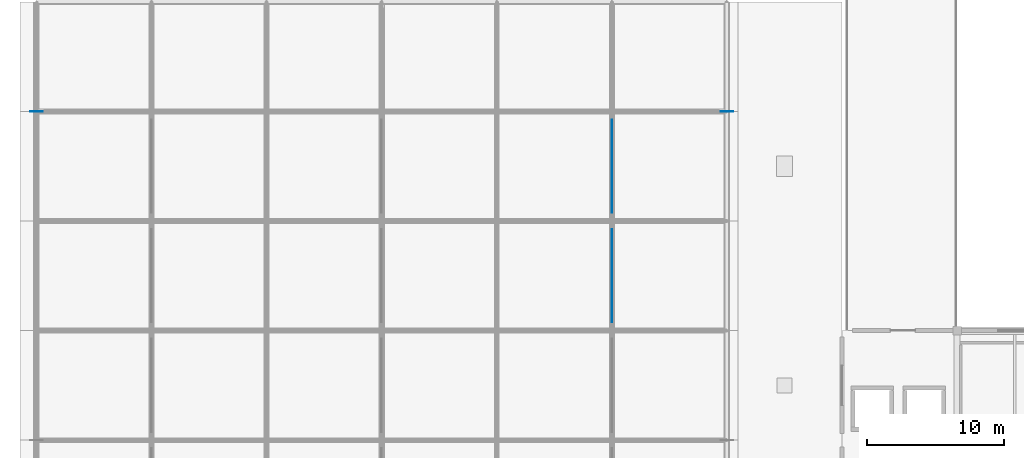
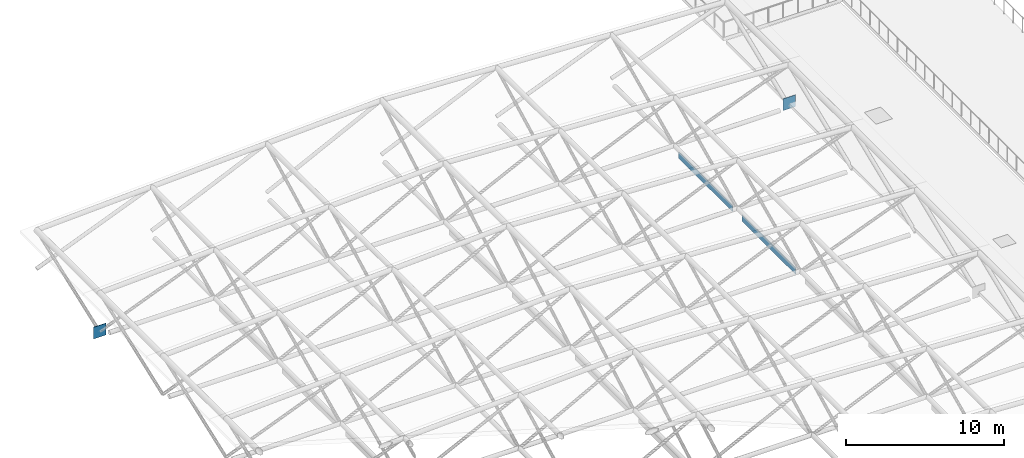
# One storey, part 17 of 37: 4 plates.
"""IFC4 building model written with IfcOpenShell, lengths in metres."""

from ifc_helpers import new_model, si_unit, direction, frame, origin, origin_2d, place, context, subcontext, project, spatial, rectangle, extrude, material, layer, layer_set, type_object, element, save


model = new_model("IFC4")

# Units and contexts
model_context = context("Model", 3, precision=1e-05, world=origin(), true_north=direction((0.0, 1.0)))
body_context = subcontext(model_context, "Body", "Model", "MODEL_VIEW")
ifc_project = project(units=[si_unit("LENGTHUNIT", "METRE"), si_unit("AREAUNIT", "SQUARE_METRE"), si_unit("VOLUMEUNIT", "CUBIC_METRE"), si_unit("PLANEANGLEUNIT", "RADIAN"), si_unit("MASSUNIT", "GRAM", prefix="KILO")], contexts=[model_context])

# Site, building, storey
site_placement = place(None, origin())
site = spatial("IfcSite", under=ifc_project, at=site_placement, CompositionType="ELEMENT")
building_placement = place(site_placement, origin())
building = spatial("IfcBuilding", under=site, at=building_placement, Name="Naruveol Harbour Congress Hotel", CompositionType="ELEMENT")
storey_placement = place(building_placement, frame((0.0, 0.0, 16.199951171875)))
storey = spatial("IfcBuildingStorey", under=building, at=storey_placement, Name="L03", CompositionType="ELEMENT", Elevation=16.199951171875)

# Plates
ifc_material_1 = material(Name="Precast concrete C40/50", Category="concrete")
ifc_layer_1 = layer(ifc_material_1, 0.0400390625)
ifc_layer_set_1 = layer_set([ifc_layer_1], Name="Precast concrete C40/50")
plate_type_1 = type_object("IfcPlateType", Name="CONGRESS HALL SUSPENDED ACOUSTIC BAFFLE 40", PredefinedType="SHEET", material=ifc_layer_set_1)
for number, where, z_axis, x_axis, name in (
    (1, (42.0, 36.0, -0.949951171875), (0.0, 0.0, 1.0), (1.0, 0.0, 0.0), "Congress Hall suspended acoustic baffle #4.42"),
    (2, (42.0, 44.0, -0.949951171875), (0.0, 0.0, 1.0), (1.0, 0.0, 0.0), "Congress Hall suspended acoustic baffle #5.42"),
):
    element("IfcPlate", number, at=place(storey_placement, frame(where, z_axis=z_axis, x_axis=x_axis)), inside=storey, type_object=plate_type_1, Name=name, PredefinedType="SHEET", context=body_context, shape_type="SweptSolid", body=[
        extrude(rectangle(XDim=0.0400390625, YDim=6.800048828125, at=origin_2d()), origin(), (0.0, 0.0, 1.0), 0.5),
    ])
ifc_material_2 = material(Name="Steel SN490", Category="steel")
ifc_layer_2 = layer(ifc_material_2, 0.035888671875)
ifc_layer_set_2 = layer_set([ifc_layer_2], Name="Steel SN490")
plate_type_2 = type_object("IfcPlateType", Name="STEEL SPACE FRAME NODE PLATE 36", PredefinedType="USERDEFINED", material=ifc_layer_set_2)
for number, where, z_axis, x_axis, name in (
    (3, (0.0, 48.0, -0.39990234375), (0.0, 0.0, 1.0), (1.0, 0.0, 0.0), "Congress space frame bearing node plate #3"),
    (4, (50.39990234375, 48.0, -0.39990234375), (0.0, 0.0, 1.0), (1.0, 0.0, 0.0), "Congress space frame bearing node plate #6"),
):
    element("IfcPlate", number, at=place(storey_placement, frame(where, z_axis=z_axis, x_axis=x_axis)), inside=storey, type_object=plate_type_2, Name=name, ObjectType="GUSSET PLATE", PredefinedType="USERDEFINED", context=body_context, shape_type="SweptSolid", body=[
        extrude(rectangle(XDim=0.89990234375, YDim=0.035888671875, at=origin_2d()), origin(), (0.0, 0.0, 1.0), 0.89990234375),
    ])

save(model, "model.ifc")
